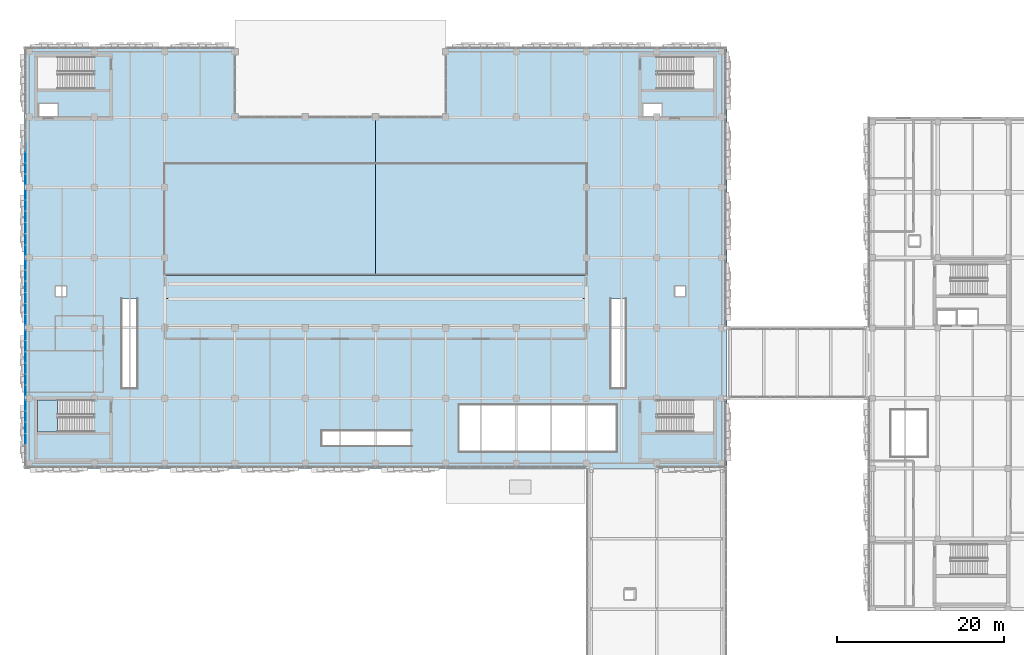
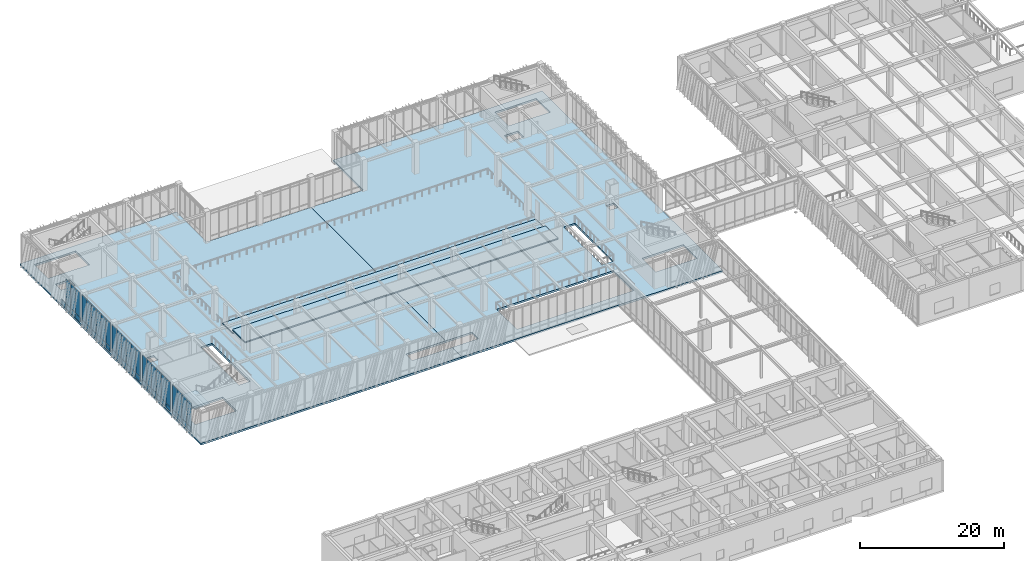
# One storey, part 92 of 139: 51 plates, 5 slabs, 6 elements without a shape of their own.
"""IFC4 building model written with IfcOpenShell, lengths in metres."""

from ifc_helpers import new_model, si_unit, direction, frame, origin, origin_2d, place, context, subcontext, project, spatial, polyline, rectangle, outline, extrude, material, layer, layer_set, type_object, element, aggregate, save


model = new_model("IFC4")

# Units and contexts
model_context = context("Model", 3, precision=1e-05, world=origin(), true_north=direction((0.0, 1.0)))
body_context = subcontext(model_context, "Body", "Model", "MODEL_VIEW")
ifc_project = project(units=[si_unit("LENGTHUNIT", "METRE"), si_unit("AREAUNIT", "SQUARE_METRE"), si_unit("VOLUMEUNIT", "CUBIC_METRE"), si_unit("PLANEANGLEUNIT", "RADIAN"), si_unit("MASSUNIT", "GRAM", prefix="KILO")], contexts=[model_context])

# Site, building, storey
site_placement = place(None, origin())
site = spatial("IfcSite", under=ifc_project, at=site_placement, CompositionType="ELEMENT")
building_placement = place(site_placement, origin())
building = spatial("IfcBuilding", under=site, at=building_placement, Name="Zayran Congress Hotel", CompositionType="ELEMENT")
storey_placement = place(building_placement, frame((0.0, 0.0, 5.39990234375)))
storey = spatial("IfcBuildingStorey", under=building, at=storey_placement, Name="L01", CompositionType="ELEMENT", Elevation=5.39990234375)

# Slabs
ifc_material_1 = material(Name="Concrete C32/40", Category="concrete")
ifc_layer_1 = layer(ifc_material_1, 0.320068359375)
ifc_layer_set_1 = layer_set([ifc_layer_1], Name="Concrete C32/40")
slab_type_1 = type_object("IfcSlabType", Name="SL-PD-320", PredefinedType="FLOOR", material=ifc_layer_set_1)
slab_1_placement = place(storey_placement, frame((0.0, 0.0, -0.31982421875)))
element("IfcSlab", 1, at=slab_1_placement, inside=storey, type_object=slab_type_1, Name="SLB-V1-L01-003", PredefinedType="FLOOR", context=body_context, shape_type="SweptSolid", body=[
    extrude(outline(polyline([(8.39990234375, 67.60009765625), (50.39990234375, 67.60009765625), (50.39990234375, 70.300048828125), (44.0, 70.300048828125), (44.0, 72.10009765625), (50.39990234375, 72.10009765625), (50.39990234375, 109.60009765625), (33.60009765625, 109.60009765625), (33.60009765625, 118.0), (8.39990234375, 118.0), (8.39990234375, 67.60009765625)]), holes=[polyline([(10.0, 112.9599609375), (16.659912109375, 112.9599609375), (16.659912109375, 116.800048828125), (10.0, 116.800048828125), (10.0, 112.9599609375)]), polyline([(10.199951171875, 109.60009765625), (12.39990234375, 109.60009765625), (12.39990234375, 111.199951171875), (10.199951171875, 111.199951171875), (10.199951171875, 109.60009765625)]), polyline([(10.0, 71.9599609375), (16.659912109375, 71.9599609375), (16.659912109375, 75.800048828125), (10.0, 75.800048828125), (10.0, 71.9599609375)]), polyline([(20.10009765625, 77.199951171875), (21.89990234375, 77.199951171875), (21.89990234375, 87.85009765625), (20.10009765625, 87.85009765625), (20.10009765625, 77.199951171875)]), polyline([(12.199951171875, 88.199951171875), (13.419921875, 88.199951171875), (13.419921875, 89.3798828125), (12.199951171875, 89.3798828125), (12.199951171875, 88.199951171875)])]), origin(), (0.0, 0.0, 1.0), 0.31982421875),
])
slab_2_placement = place(storey_placement, frame((0.0, 0.0, -0.31982421875)))
element("IfcSlab", 2, at=slab_2_placement, inside=storey, type_object=slab_type_1, Name="SLB-V1-L01-004", PredefinedType="FLOOR", context=body_context, shape_type="SweptSolid", body=[
    extrude(outline(polyline([(50.39990234375, 67.60009765625), (92.39990234375, 67.60009765625), (92.39990234375, 118.0), (58.800048828125, 118.0), (58.800048828125, 109.60009765625), (50.39990234375, 109.60009765625), (50.39990234375, 72.10009765625), (54.64990234375, 72.10009765625), (54.64990234375, 70.300048828125), (50.39990234375, 70.300048828125), (50.39990234375, 67.60009765625)]), holes=[polyline([(84.139892578125, 112.9599609375), (90.800048828125, 112.9599609375), (90.800048828125, 116.800048828125), (84.139892578125, 116.800048828125), (84.139892578125, 112.9599609375)]), polyline([(82.39990234375, 109.60009765625), (84.60009765625, 109.60009765625), (84.60009765625, 111.199951171875), (82.39990234375, 111.199951171875), (82.39990234375, 109.60009765625)]), polyline([(84.139892578125, 71.9599609375), (90.800048828125, 71.9599609375), (90.800048828125, 75.800048828125), (84.139892578125, 75.800048828125), (84.139892578125, 71.9599609375)]), polyline([(60.39990234375, 69.60009765625), (79.199951171875, 69.60009765625), (79.199951171875, 75.199951171875), (60.39990234375, 75.199951171875), (60.39990234375, 69.60009765625)]), polyline([(78.5, 77.199951171875), (80.300048828125, 77.199951171875), (80.300048828125, 87.85009765625), (78.5, 87.85009765625), (78.5, 77.199951171875)]), polyline([(86.199951171875, 88.199951171875), (87.419921875, 88.199951171875), (87.419921875, 89.3798828125), (86.199951171875, 89.3798828125), (86.199951171875, 88.199951171875)])]), origin(), (0.0, 0.0, 1.0), 0.31982421875),
])
ifc_layer_2 = layer(ifc_material_1, 0.179931640625)
ifc_layer_set_2 = layer_set([ifc_layer_2], Name="Concrete C32/40")
slab_type_2 = type_object("IfcSlabType", Name="SL-ST-180", PredefinedType="USERDEFINED", material=ifc_layer_set_2)
slab_3_placement = place(storey_placement, frame((0.0, 0.0, 1.02001953125)))
element("IfcSlab", 3, at=slab_3_placement, inside=storey, type_object=slab_type_2, Name="Congress Balcony Seating Tier 1", ObjectType="SEATING TIER", PredefinedType="USERDEFINED", context=body_context, shape_type="SweptSolid", body=[
    extrude(outline(polyline([(25.199951171875, 84.39990234375), (75.60009765625, 84.39990234375), (75.60009765625, 87.89990234375), (25.199951171875, 87.89990234375), (25.199951171875, 84.39990234375)])), origin(), (0.0, 0.0, 1.0), 0.18017578125),
])
slab_4_placement = place(storey_placement, frame((0.0, 0.0, 0.47021484375)))
element("IfcSlab", 4, at=slab_4_placement, inside=storey, type_object=slab_type_2, Name="Congress Balcony Seating Tier 2", ObjectType="SEATING TIER", PredefinedType="USERDEFINED", context=body_context, shape_type="SweptSolid", body=[
    extrude(outline(polyline([(25.199951171875, 87.89990234375), (75.60009765625, 87.89990234375), (75.60009765625, 90.64990234375), (25.199951171875, 90.64990234375), (25.199951171875, 87.89990234375)])), origin(), (0.0, 0.0, 1.0), 0.179931640625),
])

# Curtain wall, plates
ifc_material_2 = material(Name="Anodised aluminium and low-E insulated glass", Category="aluminium")
ifc_layer_3 = layer(ifc_material_2, 0.179931640625)
ifc_layer_set_3 = layer_set([ifc_layer_3], Name="Anodised aluminium and low-E insulated glass")
curtain_wall_type_1 = type_object("IfcCurtainWallType", Name="CW-V1W-L01-CW-31-8040-5080", PredefinedType="USERDEFINED", material=ifc_layer_set_3)
curtain_wall_1_placement = place(storey_placement, origin())
curtain_wall_1 = element("IfcCurtainWall", 5, at=curtain_wall_1_placement, inside=storey, type_object=curtain_wall_type_1, Name="CW-V1W-L01-0", ObjectType="CURTAIN WALL", PredefinedType="USERDEFINED")
ifc_layer_4 = layer(ifc_material_2, 0.028076171875)
ifc_layer_set_4 = layer_set([ifc_layer_4], Name="Anodised aluminium and low-E insulated glass")
plate_type_1 = type_object("IfcPlateType", Name="CWP-GL-1220-4150", PredefinedType="CURTAIN_PANEL", material=ifc_layer_set_4)
plate_1_placement = place(storey_placement, frame((8.550048828125, 75.1298828125, 0.8701171875), z_axis=(0.0, 0.0, 1.0), x_axis=(0.0, 1.0, 0.0)))
plate_1 = element("IfcPlate", 6, at=plate_1_placement, type_object=plate_type_1, Name="CW-31 Glazed Panel 1", PredefinedType="CURTAIN_PANEL", context=body_context, shape_type="SweptSolid", body=[
    extrude(rectangle(XDim=1.219970703125, YDim=0.028076171875, at=origin_2d()), origin(), (0.0, 0.0, 1.0), 4.14990234375),
])
plate_2_placement = place(storey_placement, frame((8.550048828125, 73.81005859375, 0.8701171875), z_axis=(0.0, 0.0, 1.0), x_axis=(0.0, 1.0, 0.0)))
plate_2 = element("IfcPlate", 7, at=plate_2_placement, type_object=plate_type_1, Name="CW-31 Glazed Panel 2", PredefinedType="CURTAIN_PANEL", context=body_context, shape_type="SweptSolid", body=[
    extrude(rectangle(XDim=1.260009765625, YDim=0.028076171875, at=origin_2d()), origin(), (0.0, 0.0, 1.0), 4.14990234375),
])
plate_3_placement = place(storey_placement, frame((8.550048828125, 72.469970703125, 0.8701171875), z_axis=(0.0, 0.0, 1.0), x_axis=(0.0, 1.0, 0.0)))
plate_3 = element("IfcPlate", 8, at=plate_3_placement, type_object=plate_type_1, Name="CW-31 Glazed Panel 3", PredefinedType="CURTAIN_PANEL", context=body_context, shape_type="SweptSolid", body=[
    extrude(rectangle(XDim=1.260009765625, YDim=0.028076171875, at=origin_2d()), origin(), (0.0, 0.0, 1.0), 4.14990234375),
])
plate_4_placement = place(storey_placement, frame((8.550048828125, 71.1298828125, 0.8701171875), z_axis=(0.0, 0.0, 1.0), x_axis=(0.0, 1.0, 0.0)))
plate_4 = element("IfcPlate", 9, at=plate_4_placement, type_object=plate_type_1, Name="CW-31 Glazed Panel 4", PredefinedType="CURTAIN_PANEL", context=body_context, shape_type="SweptSolid", body=[
    extrude(rectangle(XDim=1.260009765625, YDim=0.028076171875, at=origin_2d()), origin(), (0.0, 0.0, 1.0), 4.14990234375),
])

ifc_layer_5 = layer(ifc_material_2, 0.179931640625)
ifc_layer_set_5 = layer_set([ifc_layer_5], Name="Anodised aluminium and low-E insulated glass")
curtain_wall_type_2 = type_object("IfcCurtainWallType", Name="CW-V1W-L01-CW-32-8040-5080", PredefinedType="USERDEFINED", material=ifc_layer_set_5)
curtain_wall_2_placement = place(storey_placement, origin())
curtain_wall_2 = element("IfcCurtainWall", 10, at=curtain_wall_2_placement, inside=storey, type_object=curtain_wall_type_2, Name="CW-V1W-L01-3", ObjectType="CURTAIN WALL", PredefinedType="USERDEFINED")
plate_5_placement = place(storey_placement, frame((8.550048828125, 100.330078125, 0.8701171875), z_axis=(0.0, 0.0, 1.0), x_axis=(0.0, 1.0, 0.0)))
plate_5 = element("IfcPlate", 11, at=plate_5_placement, type_object=plate_type_1, Name="CW-32 Glazed Panel 1", PredefinedType="CURTAIN_PANEL", context=body_context, shape_type="SweptSolid", body=[
    extrude(rectangle(XDim=1.219970703125, YDim=0.028076171875, at=origin_2d()), origin(), (0.0, 0.0, 1.0), 4.14990234375),
])
plate_6_placement = place(storey_placement, frame((8.550048828125, 99.010009765625, 0.8701171875), z_axis=(0.0, 0.0, 1.0), x_axis=(0.0, 1.0, 0.0)))
plate_6 = element("IfcPlate", 12, at=plate_6_placement, type_object=plate_type_1, Name="CW-32 Glazed Panel 2", PredefinedType="CURTAIN_PANEL", context=body_context, shape_type="SweptSolid", body=[
    extrude(rectangle(XDim=1.260009765625, YDim=0.028076171875, at=origin_2d()), origin(), (0.0, 0.0, 1.0), 4.14990234375),
])
plate_7_placement = place(storey_placement, frame((8.550048828125, 97.669921875, 0.8701171875), z_axis=(0.0, 0.0, 1.0), x_axis=(0.0, 1.0, 0.0)))
plate_7 = element("IfcPlate", 13, at=plate_7_placement, type_object=plate_type_1, Name="CW-32 Glazed Panel 3", PredefinedType="CURTAIN_PANEL", context=body_context, shape_type="SweptSolid", body=[
    extrude(rectangle(XDim=1.260009765625, YDim=0.028076171875, at=origin_2d()), origin(), (0.0, 0.0, 1.0), 4.14990234375),
])
plate_8_placement = place(storey_placement, frame((8.550048828125, 96.330078125, 0.8701171875), z_axis=(0.0, 0.0, 1.0), x_axis=(0.0, 1.0, 0.0)))
plate_8 = element("IfcPlate", 14, at=plate_8_placement, type_object=plate_type_1, Name="CW-32 Glazed Panel 4", PredefinedType="CURTAIN_PANEL", context=body_context, shape_type="SweptSolid", body=[
    extrude(rectangle(XDim=1.260009765625, YDim=0.028076171875, at=origin_2d()), origin(), (0.0, 0.0, 1.0), 4.14990234375),
])
plate_9_placement = place(storey_placement, frame((8.550048828125, 94.989990234375, 0.8701171875), z_axis=(0.0, 0.0, 1.0), x_axis=(0.0, 1.0, 0.0)))
plate_9 = element("IfcPlate", 15, at=plate_9_placement, type_object=plate_type_1, Name="CW-32 Glazed Panel 5", PredefinedType="CURTAIN_PANEL", context=body_context, shape_type="SweptSolid", body=[
    extrude(rectangle(XDim=1.260009765625, YDim=0.028076171875, at=origin_2d()), origin(), (0.0, 0.0, 1.0), 4.14990234375),
])
plate_10_placement = place(storey_placement, frame((8.550048828125, 93.669921875, 0.8701171875), z_axis=(0.0, 0.0, 1.0), x_axis=(0.0, 1.0, 0.0)))
plate_10 = element("IfcPlate", 16, at=plate_10_placement, type_object=plate_type_1, Name="CW-32 Glazed Panel 6", PredefinedType="CURTAIN_PANEL", context=body_context, shape_type="SweptSolid", body=[
    extrude(rectangle(XDim=1.219970703125, YDim=0.028076171875, at=origin_2d()), origin(), (0.0, 0.0, 1.0), 4.14990234375),
])

# Plate
ifc_material_3 = material(Name="Insulated warm bronze aluminium spandrel panel", Category="aluminium")
ifc_layer_6 = layer(ifc_material_3, 0.06005859375)
ifc_layer_set_6 = layer_set([ifc_layer_6], Name="Insulated warm bronze aluminium spandrel panel")
plate_type_2 = type_object("IfcPlateType", Name="CWP-SP-1220-750", PredefinedType="CURTAIN_PANEL", material=ifc_layer_set_6)
plate_11_placement = place(storey_placement, frame((8.550048828125, 75.1298828125, 0.06005859375), z_axis=(0.0, 0.0, 1.0), x_axis=(0.0, 1.0, 0.0)))
plate_11 = element("IfcPlate", 17, at=plate_11_placement, type_object=plate_type_2, Name="CW-31 Spandrel Panel 1", PredefinedType="CURTAIN_PANEL", context=body_context, shape_type="SweptSolid", body=[
    extrude(rectangle(XDim=1.219970703125, YDim=0.06005859375, at=origin_2d()), origin(), (0.0, 0.0, 1.0), 0.75),
])

plate_12_placement = place(storey_placement, frame((8.550048828125, 73.81005859375, 0.06005859375), z_axis=(0.0, 0.0, 1.0), x_axis=(0.0, 1.0, 0.0)))
plate_12 = element("IfcPlate", 18, at=plate_12_placement, type_object=plate_type_2, Name="CW-31 Spandrel Panel 2", PredefinedType="CURTAIN_PANEL", context=body_context, shape_type="SweptSolid", body=[
    extrude(rectangle(XDim=1.260009765625, YDim=0.06005859375, at=origin_2d()), origin(), (0.0, 0.0, 1.0), 0.75),
])

plate_13_placement = place(storey_placement, frame((8.550048828125, 72.469970703125, 0.06005859375), z_axis=(0.0, 0.0, 1.0), x_axis=(0.0, 1.0, 0.0)))
plate_13 = element("IfcPlate", 19, at=plate_13_placement, type_object=plate_type_2, Name="CW-31 Spandrel Panel 3", PredefinedType="CURTAIN_PANEL", context=body_context, shape_type="SweptSolid", body=[
    extrude(rectangle(XDim=1.260009765625, YDim=0.06005859375, at=origin_2d()), origin(), (0.0, 0.0, 1.0), 0.75),
])

plate_14_placement = place(storey_placement, frame((8.550048828125, 71.1298828125, 0.06005859375), z_axis=(0.0, 0.0, 1.0), x_axis=(0.0, 1.0, 0.0)))
plate_14 = element("IfcPlate", 20, at=plate_14_placement, type_object=plate_type_2, Name="CW-31 Spandrel Panel 4", PredefinedType="CURTAIN_PANEL", context=body_context, shape_type="SweptSolid", body=[
    extrude(rectangle(XDim=1.260009765625, YDim=0.06005859375, at=origin_2d()), origin(), (0.0, 0.0, 1.0), 0.75),
])

aggregate(curtain_wall_1, [plate_11, plate_1, plate_12, plate_2, plate_13, plate_3, plate_14, plate_4])

plate_15_placement = place(storey_placement, frame((8.550048828125, 100.330078125, 0.06005859375), z_axis=(0.0, 0.0, 1.0), x_axis=(0.0, 1.0, 0.0)))
plate_15 = element("IfcPlate", 21, at=plate_15_placement, type_object=plate_type_2, Name="CW-32 Spandrel Panel 1", PredefinedType="CURTAIN_PANEL", context=body_context, shape_type="SweptSolid", body=[
    extrude(rectangle(XDim=1.219970703125, YDim=0.06005859375, at=origin_2d()), origin(), (0.0, 0.0, 1.0), 0.75),
])

plate_16_placement = place(storey_placement, frame((8.550048828125, 99.010009765625, 0.06005859375), z_axis=(0.0, 0.0, 1.0), x_axis=(0.0, 1.0, 0.0)))
plate_16 = element("IfcPlate", 22, at=plate_16_placement, type_object=plate_type_2, Name="CW-32 Spandrel Panel 2", PredefinedType="CURTAIN_PANEL", context=body_context, shape_type="SweptSolid", body=[
    extrude(rectangle(XDim=1.260009765625, YDim=0.06005859375, at=origin_2d()), origin(), (0.0, 0.0, 1.0), 0.75),
])

plate_17_placement = place(storey_placement, frame((8.550048828125, 97.669921875, 0.06005859375), z_axis=(0.0, 0.0, 1.0), x_axis=(0.0, 1.0, 0.0)))
plate_17 = element("IfcPlate", 23, at=plate_17_placement, type_object=plate_type_2, Name="CW-32 Spandrel Panel 3", PredefinedType="CURTAIN_PANEL", context=body_context, shape_type="SweptSolid", body=[
    extrude(rectangle(XDim=1.260009765625, YDim=0.06005859375, at=origin_2d()), origin(), (0.0, 0.0, 1.0), 0.75),
])

plate_18_placement = place(storey_placement, frame((8.550048828125, 96.330078125, 0.06005859375), z_axis=(0.0, 0.0, 1.0), x_axis=(0.0, 1.0, 0.0)))
plate_18 = element("IfcPlate", 24, at=plate_18_placement, type_object=plate_type_2, Name="CW-32 Spandrel Panel 4", PredefinedType="CURTAIN_PANEL", context=body_context, shape_type="SweptSolid", body=[
    extrude(rectangle(XDim=1.260009765625, YDim=0.06005859375, at=origin_2d()), origin(), (0.0, 0.0, 1.0), 0.75),
])

plate_19_placement = place(storey_placement, frame((8.550048828125, 94.989990234375, 0.06005859375), z_axis=(0.0, 0.0, 1.0), x_axis=(0.0, 1.0, 0.0)))
plate_19 = element("IfcPlate", 25, at=plate_19_placement, type_object=plate_type_2, Name="CW-32 Spandrel Panel 5", PredefinedType="CURTAIN_PANEL", context=body_context, shape_type="SweptSolid", body=[
    extrude(rectangle(XDim=1.260009765625, YDim=0.06005859375, at=origin_2d()), origin(), (0.0, 0.0, 1.0), 0.75),
])

plate_20_placement = place(storey_placement, frame((8.550048828125, 93.669921875, 0.06005859375), z_axis=(0.0, 0.0, 1.0), x_axis=(0.0, 1.0, 0.0)))
plate_20 = element("IfcPlate", 26, at=plate_20_placement, type_object=plate_type_2, Name="CW-32 Spandrel Panel 6", PredefinedType="CURTAIN_PANEL", context=body_context, shape_type="SweptSolid", body=[
    extrude(rectangle(XDim=1.219970703125, YDim=0.06005859375, at=origin_2d()), origin(), (0.0, 0.0, 1.0), 0.75),
])

aggregate(curtain_wall_2, [plate_15, plate_5, plate_16, plate_6, plate_17, plate_7, plate_18, plate_8, plate_19, plate_9, plate_20, plate_10])

# Curtain wall, plates
ifc_layer_7 = layer(ifc_material_2, 0.179931640625)
ifc_layer_set_7 = layer_set([ifc_layer_7], Name="Anodised aluminium and low-E insulated glass")
curtain_wall_type_3 = type_object("IfcCurtainWallType", Name="CW-V1W-L01-CW-32-7990-5080", PredefinedType="USERDEFINED", material=ifc_layer_set_7)
curtain_wall_3_placement = place(storey_placement, origin())
curtain_wall_3 = element("IfcCurtainWall", 27, at=curtain_wall_3_placement, inside=storey, type_object=curtain_wall_type_3, Name="CW-V1W-L01-1", ObjectType="CURTAIN WALL", PredefinedType="USERDEFINED")
ifc_layer_8 = layer(ifc_material_2, 0.028076171875)
ifc_layer_set_8 = layer_set([ifc_layer_8], Name="Anodised aluminium and low-E insulated glass")
plate_type_3 = type_object("IfcPlateType", Name="CWP-GL-1212-4150", PredefinedType="CURTAIN_PANEL", material=ifc_layer_set_8)
plate_21_placement = place(storey_placement, frame((8.550048828125, 83.5341796875, 0.8701171875), z_axis=(0.0, 0.0, 1.0), x_axis=(0.0, 1.0, 0.0)))
plate_21 = element("IfcPlate", 28, at=plate_21_placement, type_object=plate_type_3, Name="CW-32 Glazed Panel 1", PredefinedType="CURTAIN_PANEL", context=body_context, shape_type="SweptSolid", body=[
    extrude(rectangle(XDim=1.211669921875, YDim=0.028076171875, at=origin_2d()), origin(), (0.0, 0.0, 1.0), 4.14990234375),
])
plate_22_placement = place(storey_placement, frame((8.550048828125, 82.222412109375, 0.8701171875), z_axis=(0.0, 0.0, 1.0), x_axis=(0.0, 1.0, 0.0)))
plate_22 = element("IfcPlate", 29, at=plate_22_placement, type_object=plate_type_3, Name="CW-32 Glazed Panel 2", PredefinedType="CURTAIN_PANEL", context=body_context, shape_type="SweptSolid", body=[
    extrude(rectangle(XDim=1.251708984375, YDim=0.028076171875, at=origin_2d()), origin(), (0.0, 0.0, 1.0), 4.14990234375),
])
plate_23_placement = place(storey_placement, frame((8.550048828125, 80.890869140625, 0.8701171875), z_axis=(0.0, 0.0, 1.0), x_axis=(0.0, 1.0, 0.0)))
plate_23 = element("IfcPlate", 30, at=plate_23_placement, type_object=plate_type_3, Name="CW-32 Glazed Panel 3", PredefinedType="CURTAIN_PANEL", context=body_context, shape_type="SweptSolid", body=[
    extrude(rectangle(XDim=1.251708984375, YDim=0.028076171875, at=origin_2d()), origin(), (0.0, 0.0, 1.0), 4.14990234375),
])
plate_24_placement = place(storey_placement, frame((8.550048828125, 79.55908203125, 0.8701171875), z_axis=(0.0, 0.0, 1.0), x_axis=(0.0, 1.0, 0.0)))
plate_24 = element("IfcPlate", 31, at=plate_24_placement, type_object=plate_type_3, Name="CW-32 Glazed Panel 4", PredefinedType="CURTAIN_PANEL", context=body_context, shape_type="SweptSolid", body=[
    extrude(rectangle(XDim=1.251708984375, YDim=0.028076171875, at=origin_2d()), origin(), (0.0, 0.0, 1.0), 4.14990234375),
])
plate_25_placement = place(storey_placement, frame((8.550048828125, 78.2275390625, 0.8701171875), z_axis=(0.0, 0.0, 1.0), x_axis=(0.0, 1.0, 0.0)))
plate_25 = element("IfcPlate", 32, at=plate_25_placement, type_object=plate_type_3, Name="CW-32 Glazed Panel 5", PredefinedType="CURTAIN_PANEL", context=body_context, shape_type="SweptSolid", body=[
    extrude(rectangle(XDim=1.251708984375, YDim=0.028076171875, at=origin_2d()), origin(), (0.0, 0.0, 1.0), 4.14990234375),
])
plate_26_placement = place(storey_placement, frame((8.550048828125, 76.915771484375, 0.8701171875), z_axis=(0.0, 0.0, 1.0), x_axis=(0.0, 1.0, 0.0)))
plate_26 = element("IfcPlate", 33, at=plate_26_placement, type_object=plate_type_3, Name="CW-32 Glazed Panel 6", PredefinedType="CURTAIN_PANEL", context=body_context, shape_type="SweptSolid", body=[
    extrude(rectangle(XDim=1.211669921875, YDim=0.028076171875, at=origin_2d()), origin(), (0.0, 0.0, 1.0), 4.14990234375),
])

ifc_layer_9 = layer(ifc_material_2, 0.179931640625)
ifc_layer_set_9 = layer_set([ifc_layer_9], Name="Anodised aluminium and low-E insulated glass")
curtain_wall_type_4 = type_object("IfcCurtainWallType", Name="CW-V1W-L01-CW-31-7990-5080", PredefinedType="USERDEFINED", material=ifc_layer_set_9)
curtain_wall_4_placement = place(storey_placement, origin())
curtain_wall_4 = element("IfcCurtainWall", 34, at=curtain_wall_4_placement, inside=storey, type_object=curtain_wall_type_4, Name="CW-V1W-L01-4", ObjectType="CURTAIN WALL", PredefinedType="USERDEFINED")
plate_27_placement = place(storey_placement, frame((8.550048828125, 104.75927734375, 0.8701171875), z_axis=(0.0, 0.0, 1.0), x_axis=(0.0, 1.0, 0.0)))
plate_27 = element("IfcPlate", 35, at=plate_27_placement, type_object=plate_type_3, Name="CW-31 Glazed Panel 4", PredefinedType="CURTAIN_PANEL", context=body_context, shape_type="SweptSolid", body=[
    extrude(rectangle(XDim=1.251708984375, YDim=0.028076171875, at=origin_2d()), origin(), (0.0, 0.0, 1.0), 4.14990234375),
])
plate_28_placement = place(storey_placement, frame((8.550048828125, 103.427490234375, 0.8701171875), z_axis=(0.0, 0.0, 1.0), x_axis=(0.0, 1.0, 0.0)))
plate_28 = element("IfcPlate", 36, at=plate_28_placement, type_object=plate_type_3, Name="CW-31 Glazed Panel 5", PredefinedType="CURTAIN_PANEL", context=body_context, shape_type="SweptSolid", body=[
    extrude(rectangle(XDim=1.251708984375, YDim=0.028076171875, at=origin_2d()), origin(), (0.0, 0.0, 1.0), 4.14990234375),
])
plate_29_placement = place(storey_placement, frame((8.550048828125, 102.11572265625, 0.8701171875), z_axis=(0.0, 0.0, 1.0), x_axis=(0.0, 1.0, 0.0)))
plate_29 = element("IfcPlate", 37, at=plate_29_placement, type_object=plate_type_3, Name="CW-31 Glazed Panel 6", PredefinedType="CURTAIN_PANEL", context=body_context, shape_type="SweptSolid", body=[
    extrude(rectangle(XDim=1.211669921875, YDim=0.028076171875, at=origin_2d()), origin(), (0.0, 0.0, 1.0), 4.14990234375),
])

# Plate
ifc_layer_10 = layer(ifc_material_3, 0.06005859375)
ifc_layer_set_10 = layer_set([ifc_layer_10], Name="Insulated warm bronze aluminium spandrel panel")
plate_type_4 = type_object("IfcPlateType", Name="CWP-SP-1212-750", PredefinedType="CURTAIN_PANEL", material=ifc_layer_set_10)
plate_30_placement = place(storey_placement, frame((8.550048828125, 83.5341796875, 0.06005859375), z_axis=(0.0, 0.0, 1.0), x_axis=(0.0, 1.0, 0.0)))
plate_30 = element("IfcPlate", 38, at=plate_30_placement, type_object=plate_type_4, Name="CW-32 Spandrel Panel 1", PredefinedType="CURTAIN_PANEL", context=body_context, shape_type="SweptSolid", body=[
    extrude(rectangle(XDim=1.211669921875, YDim=0.06005859375, at=origin_2d()), origin(), (0.0, 0.0, 1.0), 0.75),
])

plate_31_placement = place(storey_placement, frame((8.550048828125, 82.222412109375, 0.06005859375), z_axis=(0.0, 0.0, 1.0), x_axis=(0.0, 1.0, 0.0)))
plate_31 = element("IfcPlate", 39, at=plate_31_placement, type_object=plate_type_4, Name="CW-32 Spandrel Panel 2", PredefinedType="CURTAIN_PANEL", context=body_context, shape_type="SweptSolid", body=[
    extrude(rectangle(XDim=1.251708984375, YDim=0.06005859375, at=origin_2d()), origin(), (0.0, 0.0, 1.0), 0.75),
])

plate_32_placement = place(storey_placement, frame((8.550048828125, 80.890869140625, 0.06005859375), z_axis=(0.0, 0.0, 1.0), x_axis=(0.0, 1.0, 0.0)))
plate_32 = element("IfcPlate", 40, at=plate_32_placement, type_object=plate_type_4, Name="CW-32 Spandrel Panel 3", PredefinedType="CURTAIN_PANEL", context=body_context, shape_type="SweptSolid", body=[
    extrude(rectangle(XDim=1.251708984375, YDim=0.06005859375, at=origin_2d()), origin(), (0.0, 0.0, 1.0), 0.75),
])

plate_33_placement = place(storey_placement, frame((8.550048828125, 79.55908203125, 0.06005859375), z_axis=(0.0, 0.0, 1.0), x_axis=(0.0, 1.0, 0.0)))
plate_33 = element("IfcPlate", 41, at=plate_33_placement, type_object=plate_type_4, Name="CW-32 Spandrel Panel 4", PredefinedType="CURTAIN_PANEL", context=body_context, shape_type="SweptSolid", body=[
    extrude(rectangle(XDim=1.251708984375, YDim=0.06005859375, at=origin_2d()), origin(), (0.0, 0.0, 1.0), 0.75),
])

plate_34_placement = place(storey_placement, frame((8.550048828125, 78.2275390625, 0.06005859375), z_axis=(0.0, 0.0, 1.0), x_axis=(0.0, 1.0, 0.0)))
plate_34 = element("IfcPlate", 42, at=plate_34_placement, type_object=plate_type_4, Name="CW-32 Spandrel Panel 5", PredefinedType="CURTAIN_PANEL", context=body_context, shape_type="SweptSolid", body=[
    extrude(rectangle(XDim=1.251708984375, YDim=0.06005859375, at=origin_2d()), origin(), (0.0, 0.0, 1.0), 0.75),
])

plate_35_placement = place(storey_placement, frame((8.550048828125, 76.915771484375, 0.06005859375), z_axis=(0.0, 0.0, 1.0), x_axis=(0.0, 1.0, 0.0)))
plate_35 = element("IfcPlate", 43, at=plate_35_placement, type_object=plate_type_4, Name="CW-32 Spandrel Panel 6", PredefinedType="CURTAIN_PANEL", context=body_context, shape_type="SweptSolid", body=[
    extrude(rectangle(XDim=1.211669921875, YDim=0.06005859375, at=origin_2d()), origin(), (0.0, 0.0, 1.0), 0.75),
])

aggregate(curtain_wall_3, [plate_30, plate_21, plate_31, plate_22, plate_32, plate_23, plate_33, plate_24, plate_34, plate_25, plate_35, plate_26])

plate_36_placement = place(storey_placement, frame((8.550048828125, 106.0908203125, 0.06005859375), z_axis=(0.0, 0.0, 1.0), x_axis=(0.0, 1.0, 0.0)))
plate_36 = element("IfcPlate", 44, at=plate_36_placement, type_object=plate_type_4, Name="CW-31 Spandrel Panel 3", PredefinedType="CURTAIN_PANEL", context=body_context, shape_type="SweptSolid", body=[
    extrude(rectangle(XDim=1.251708984375, YDim=0.06005859375, at=origin_2d()), origin(), (0.0, 0.0, 1.0), 0.75),
])

plate_37_placement = place(storey_placement, frame((8.550048828125, 104.75927734375, 0.06005859375), z_axis=(0.0, 0.0, 1.0), x_axis=(0.0, 1.0, 0.0)))
plate_37 = element("IfcPlate", 45, at=plate_37_placement, type_object=plate_type_4, Name="CW-31 Spandrel Panel 4", PredefinedType="CURTAIN_PANEL", context=body_context, shape_type="SweptSolid", body=[
    extrude(rectangle(XDim=1.251708984375, YDim=0.06005859375, at=origin_2d()), origin(), (0.0, 0.0, 1.0), 0.75),
])

plate_38_placement = place(storey_placement, frame((8.550048828125, 103.427490234375, 0.06005859375), z_axis=(0.0, 0.0, 1.0), x_axis=(0.0, 1.0, 0.0)))
plate_38 = element("IfcPlate", 46, at=plate_38_placement, type_object=plate_type_4, Name="CW-31 Spandrel Panel 5", PredefinedType="CURTAIN_PANEL", context=body_context, shape_type="SweptSolid", body=[
    extrude(rectangle(XDim=1.251708984375, YDim=0.06005859375, at=origin_2d()), origin(), (0.0, 0.0, 1.0), 0.75),
])

plate_39_placement = place(storey_placement, frame((8.550048828125, 102.11572265625, 0.06005859375), z_axis=(0.0, 0.0, 1.0), x_axis=(0.0, 1.0, 0.0)))
plate_39 = element("IfcPlate", 47, at=plate_39_placement, type_object=plate_type_4, Name="CW-31 Spandrel Panel 6", PredefinedType="CURTAIN_PANEL", context=body_context, shape_type="SweptSolid", body=[
    extrude(rectangle(XDim=1.211669921875, YDim=0.06005859375, at=origin_2d()), origin(), (0.0, 0.0, 1.0), 0.75),
])

aggregate(curtain_wall_4, [plate_36, plate_37, plate_27, plate_38, plate_28, plate_39, plate_29])

# Curtain wall, plates
ifc_layer_11 = layer(ifc_material_2, 0.179931640625)
ifc_layer_set_11 = layer_set([ifc_layer_11], Name="Anodised aluminium and low-E insulated glass")
curtain_wall_type_5 = type_object("IfcCurtainWallType", Name="CW-V1W-L01-CW-31-7940-5080", PredefinedType="USERDEFINED", material=ifc_layer_set_11)
curtain_wall_5_placement = place(storey_placement, origin())
curtain_wall_5 = element("IfcCurtainWall", 48, at=curtain_wall_5_placement, inside=storey, type_object=curtain_wall_type_5, Name="CW-V1W-L01-2", ObjectType="CURTAIN WALL", PredefinedType="USERDEFINED")
ifc_layer_12 = layer(ifc_material_2, 0.028076171875)
ifc_layer_set_12 = layer_set([ifc_layer_12], Name="Anodised aluminium and low-E insulated glass")
plate_type_5 = type_object("IfcPlateType", Name="CWP-GL-1203-4150", PredefinedType="CURTAIN_PANEL", material=ifc_layer_set_12)
plate_40_placement = place(storey_placement, frame((8.550048828125, 91.938232421875, 0.8701171875), z_axis=(0.0, 0.0, 1.0), x_axis=(0.0, 1.0, 0.0)))
plate_40 = element("IfcPlate", 49, at=plate_40_placement, type_object=plate_type_5, Name="CW-31 Glazed Panel 1", PredefinedType="CURTAIN_PANEL", context=body_context, shape_type="SweptSolid", body=[
    extrude(rectangle(XDim=1.203369140625, YDim=0.028076171875, at=origin_2d()), origin(), (0.0, 0.0, 1.0), 4.14990234375),
])
plate_41_placement = place(storey_placement, frame((8.550048828125, 90.635009765625, 0.8701171875), z_axis=(0.0, 0.0, 1.0), x_axis=(0.0, 1.0, 0.0)))
plate_41 = element("IfcPlate", 50, at=plate_41_placement, type_object=plate_type_5, Name="CW-31 Glazed Panel 2", PredefinedType="CURTAIN_PANEL", context=body_context, shape_type="SweptSolid", body=[
    extrude(rectangle(XDim=1.243408203125, YDim=0.028076171875, at=origin_2d()), origin(), (0.0, 0.0, 1.0), 4.14990234375),
])
plate_42_placement = place(storey_placement, frame((8.550048828125, 89.311767578125, 0.8701171875), z_axis=(0.0, 0.0, 1.0), x_axis=(0.0, 1.0, 0.0)))
plate_42 = element("IfcPlate", 51, at=plate_42_placement, type_object=plate_type_5, Name="CW-31 Glazed Panel 3", PredefinedType="CURTAIN_PANEL", context=body_context, shape_type="SweptSolid", body=[
    extrude(rectangle(XDim=1.243408203125, YDim=0.028076171875, at=origin_2d()), origin(), (0.0, 0.0, 1.0), 4.14990234375),
])
plate_43_placement = place(storey_placement, frame((8.550048828125, 87.98828125, 0.8701171875), z_axis=(0.0, 0.0, 1.0), x_axis=(0.0, 1.0, 0.0)))
plate_43 = element("IfcPlate", 52, at=plate_43_placement, type_object=plate_type_5, Name="CW-31 Glazed Panel 4", PredefinedType="CURTAIN_PANEL", context=body_context, shape_type="SweptSolid", body=[
    extrude(rectangle(XDim=1.243408203125, YDim=0.028076171875, at=origin_2d()), origin(), (0.0, 0.0, 1.0), 4.14990234375),
])
plate_44_placement = place(storey_placement, frame((8.550048828125, 86.6650390625, 0.8701171875), z_axis=(0.0, 0.0, 1.0), x_axis=(0.0, 1.0, 0.0)))
plate_44 = element("IfcPlate", 53, at=plate_44_placement, type_object=plate_type_5, Name="CW-31 Glazed Panel 5", PredefinedType="CURTAIN_PANEL", context=body_context, shape_type="SweptSolid", body=[
    extrude(rectangle(XDim=1.243408203125, YDim=0.028076171875, at=origin_2d()), origin(), (0.0, 0.0, 1.0), 4.14990234375),
])
plate_45_placement = place(storey_placement, frame((8.550048828125, 85.36181640625, 0.8701171875), z_axis=(0.0, 0.0, 1.0), x_axis=(0.0, 1.0, 0.0)))
plate_45 = element("IfcPlate", 54, at=plate_45_placement, type_object=plate_type_5, Name="CW-31 Glazed Panel 6", PredefinedType="CURTAIN_PANEL", context=body_context, shape_type="SweptSolid", body=[
    extrude(rectangle(XDim=1.203369140625, YDim=0.028076171875, at=origin_2d()), origin(), (0.0, 0.0, 1.0), 4.14990234375),
])
ifc_layer_13 = layer(ifc_material_3, 0.06005859375)
ifc_layer_set_13 = layer_set([ifc_layer_13], Name="Insulated warm bronze aluminium spandrel panel")
plate_type_6 = type_object("IfcPlateType", Name="CWP-SP-1203-750", PredefinedType="CURTAIN_PANEL", material=ifc_layer_set_13)
plate_46_placement = place(storey_placement, frame((8.550048828125, 91.938232421875, 0.06005859375), z_axis=(0.0, 0.0, 1.0), x_axis=(0.0, 1.0, 0.0)))
plate_46 = element("IfcPlate", 55, at=plate_46_placement, type_object=plate_type_6, Name="CW-31 Spandrel Panel 1", PredefinedType="CURTAIN_PANEL", context=body_context, shape_type="SweptSolid", body=[
    extrude(rectangle(XDim=1.203369140625, YDim=0.06005859375, at=origin_2d()), origin(), (0.0, 0.0, 1.0), 0.75),
])
plate_47_placement = place(storey_placement, frame((8.550048828125, 90.635009765625, 0.06005859375), z_axis=(0.0, 0.0, 1.0), x_axis=(0.0, 1.0, 0.0)))
plate_47 = element("IfcPlate", 56, at=plate_47_placement, type_object=plate_type_6, Name="CW-31 Spandrel Panel 2", PredefinedType="CURTAIN_PANEL", context=body_context, shape_type="SweptSolid", body=[
    extrude(rectangle(XDim=1.243408203125, YDim=0.06005859375, at=origin_2d()), origin(), (0.0, 0.0, 1.0), 0.75),
])
plate_48_placement = place(storey_placement, frame((8.550048828125, 89.311767578125, 0.06005859375), z_axis=(0.0, 0.0, 1.0), x_axis=(0.0, 1.0, 0.0)))
plate_48 = element("IfcPlate", 57, at=plate_48_placement, type_object=plate_type_6, Name="CW-31 Spandrel Panel 3", PredefinedType="CURTAIN_PANEL", context=body_context, shape_type="SweptSolid", body=[
    extrude(rectangle(XDim=1.243408203125, YDim=0.06005859375, at=origin_2d()), origin(), (0.0, 0.0, 1.0), 0.75),
])
plate_49_placement = place(storey_placement, frame((8.550048828125, 87.98828125, 0.06005859375), z_axis=(0.0, 0.0, 1.0), x_axis=(0.0, 1.0, 0.0)))
plate_49 = element("IfcPlate", 58, at=plate_49_placement, type_object=plate_type_6, Name="CW-31 Spandrel Panel 4", PredefinedType="CURTAIN_PANEL", context=body_context, shape_type="SweptSolid", body=[
    extrude(rectangle(XDim=1.243408203125, YDim=0.06005859375, at=origin_2d()), origin(), (0.0, 0.0, 1.0), 0.75),
])
plate_50_placement = place(storey_placement, frame((8.550048828125, 86.6650390625, 0.06005859375), z_axis=(0.0, 0.0, 1.0), x_axis=(0.0, 1.0, 0.0)))
plate_50 = element("IfcPlate", 59, at=plate_50_placement, type_object=plate_type_6, Name="CW-31 Spandrel Panel 5", PredefinedType="CURTAIN_PANEL", context=body_context, shape_type="SweptSolid", body=[
    extrude(rectangle(XDim=1.243408203125, YDim=0.06005859375, at=origin_2d()), origin(), (0.0, 0.0, 1.0), 0.75),
])
plate_51_placement = place(storey_placement, frame((8.550048828125, 85.36181640625, 0.06005859375), z_axis=(0.0, 0.0, 1.0), x_axis=(0.0, 1.0, 0.0)))
plate_51 = element("IfcPlate", 60, at=plate_51_placement, type_object=plate_type_6, Name="CW-31 Spandrel Panel 6", PredefinedType="CURTAIN_PANEL", context=body_context, shape_type="SweptSolid", body=[
    extrude(rectangle(XDim=1.203369140625, YDim=0.06005859375, at=origin_2d()), origin(), (0.0, 0.0, 1.0), 0.75),
])
aggregate(curtain_wall_5, [plate_46, plate_40, plate_47, plate_41, plate_48, plate_42, plate_49, plate_43, plate_50, plate_44, plate_51, plate_45])

# Stair, slab
stair_type = type_object("IfcStairType", Name="TP-STR-1800-54", PredefinedType="USERDEFINED", material=ifc_material_1)
stair_placement = place(storey_placement, origin())
stair = element("IfcStair", 61, at=stair_placement, inside=storey, type_object=stair_type, Name="L01 ST-05", ObjectType="TWO_RETURN_STAIR", PredefinedType="USERDEFINED")
ifc_layer_14 = layer(ifc_material_1, 0.199951171875)
ifc_layer_set_14 = layer_set([ifc_layer_14], Name="Concrete C32/40")
slab_type_3 = type_object("IfcSlabType", Name="TP-LND-1800", PredefinedType="LANDING", material=ifc_layer_set_14)
slab_5_placement = place(storey_placement, frame((0.0, 0.0, 2.5)))
slab_5 = element("IfcSlab", 62, at=slab_5_placement, type_object=slab_type_3, Name="ST-05 landing 1", PredefinedType="LANDING", context=body_context, shape_type="SweptSolid", body=[
    extrude(outline(polyline([(12.375, 75.800048828125), (10.0, 75.800048828125), (10.0, 71.9599609375), (12.375, 71.9599609375), (12.375, 75.800048828125)])), origin(), (0.0, 0.0, 1.0), 0.2001953125),
])
aggregate(stair, [slab_5])

save(model, "model.ifc")
